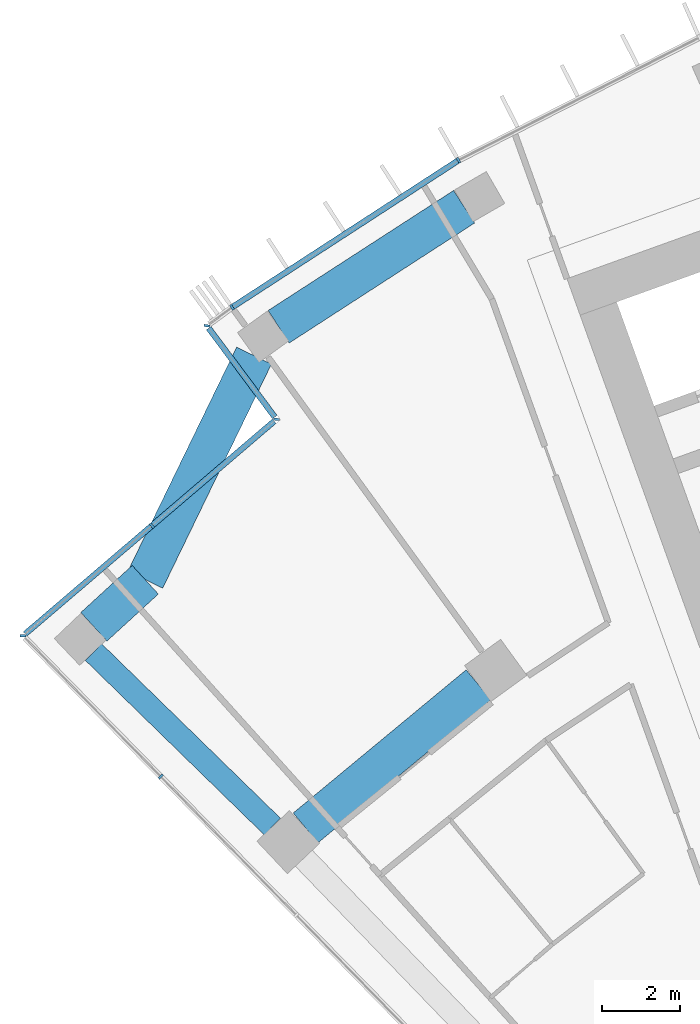
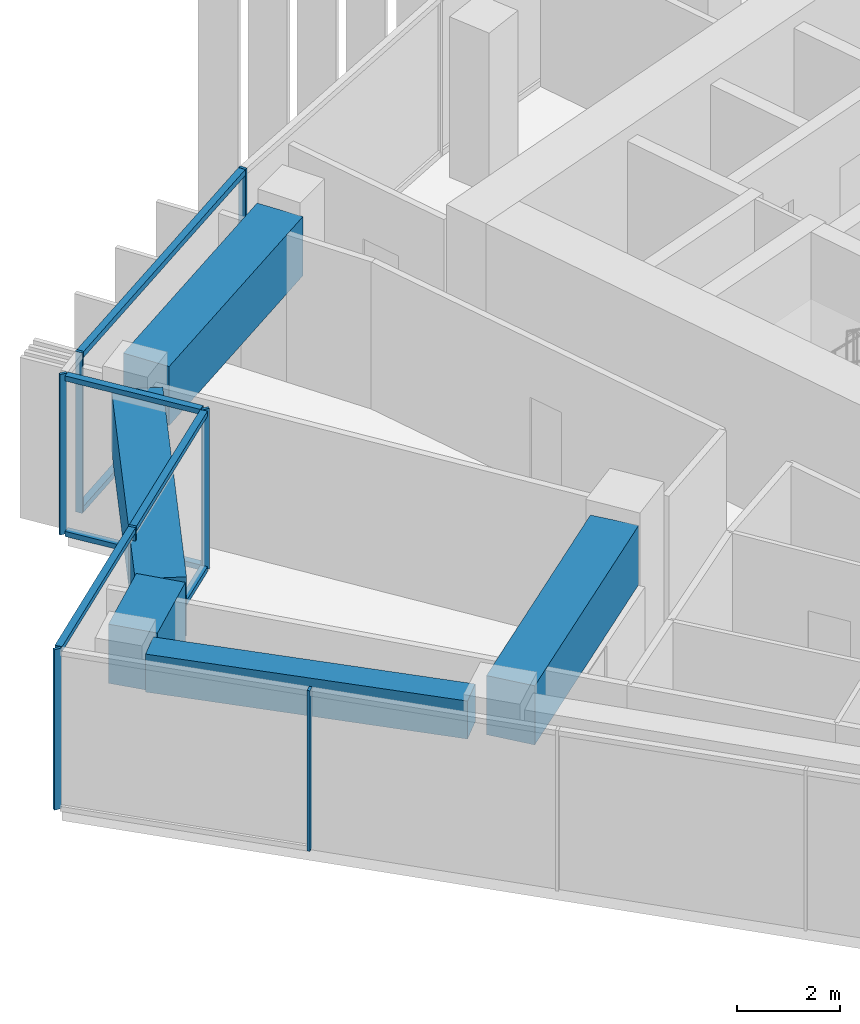
# One storey, part 4 of 19: 14 members, 5 beams, 4 elements without a shape of their own.
"""IFC4 building model written with IfcOpenShell, lengths in metres."""

from ifc_helpers import new_model, si_unit, direction, frame, origin, origin_2d, place, context, subcontext, project, spatial, rectangle, extrude, material, layer, layer_set, material_profile, profile_set, type_object, element, aggregate, save


model = new_model("IFC4")

# Units and contexts
model_context = context("Model", 3, precision=1e-05, world=origin(), true_north=direction((0.0, 1.0)))
body_context = subcontext(model_context, "Body", "Model", "MODEL_VIEW")
ifc_project = project(units=[si_unit("LENGTHUNIT", "METRE"), si_unit("AREAUNIT", "SQUARE_METRE"), si_unit("VOLUMEUNIT", "CUBIC_METRE"), si_unit("PLANEANGLEUNIT", "RADIAN"), si_unit("MASSUNIT", "GRAM", prefix="KILO")], contexts=[model_context])

# Site, building, storey
site_placement = place(None, origin())
site = spatial("IfcSite", under=ifc_project, at=site_placement, CompositionType="ELEMENT")
building_placement = place(site_placement, origin())
building = spatial("IfcBuilding", under=site, at=building_placement, Name="Stone Belt Terrace Tower", CompositionType="ELEMENT")
storey_placement = place(building_placement, frame((0.0, 0.0, 223.800048828125)))
storey = spatial("IfcBuildingStorey", under=building, at=storey_placement, Name="L54", CompositionType="ELEMENT", Elevation=223.800048828125)

# Curtain wall, members
ifc_material_1 = material(Name="Aluminium 6063-T6 anodised frame", Category="aluminium")
ifc_layer_1 = layer(ifc_material_1, 0.14990234375)
ifc_layer_set_1 = layer_set([ifc_layer_1], Name="CW-A unitised convex-face curtain wall")
curtain_wall_type_1 = type_object("IfcCurtainWallType", Name="CW-A unitised convex-face curtain wall", PredefinedType="NOTDEFINED", material=ifc_layer_set_1)
curtain_wall_1_placement = place(storey_placement, origin())
curtain_wall_1 = element("IfcCurtainWall", 1, at=curtain_wall_1_placement, inside=storey, type_object=curtain_wall_type_1, Name="CW-A convex face L54", PredefinedType="NOTDEFINED")
ifc_material_profile_1 = material_profile(ifc_material_1, rectangle(XDim=0.14990234375, YDim=0.06005859375, at=origin_2d()), Name="Aluminium 6063-T6 60x150")
ifc_profile_set_1 = profile_set([ifc_material_profile_1], Name="Aluminium 6063-T6 anodised frame")
member_type_1 = type_object("IfcMemberType", Name="CW-A mullion 60 x 150", PredefinedType="MULLION", material=ifc_profile_set_1)
member_1_placement = place(storey_placement, frame((-33.28759765625, 57.65576171875, 0.0), z_axis=(0.0, 0.0, 1.0), x_axis=(0.5, -0.866025403784, 0.0)))
member_1 = element("IfcMember", 2, at=member_1_placement, type_object=member_type_1, Name="CW-A mullion 14", PredefinedType="MULLION", context=body_context, shape_type="SweptSolid", body=[
    extrude(rectangle(XDim=0.14990234375, YDim=0.06005859375, at=origin_2d()), origin(), (0.0, 0.0, 1.0), 3.800048828125),
])
member_2_placement = place(storey_placement, frame((-39.13037109375, 53.861328125, 0.0), z_axis=(0.0, 0.0, 1.0), x_axis=(0.568647526171, -0.82258129749, 0.0)))
member_2 = element("IfcMember", 3, at=member_2_placement, type_object=member_type_1, Name="CW-A mullion 15", PredefinedType="MULLION", context=body_context, shape_type="SweptSolid", body=[
    extrude(rectangle(XDim=0.14990234375, YDim=0.06005859375, at=origin_2d()), origin(), (0.0, 0.0, 1.0), 3.800048828125),
])
ifc_material_profile_2 = material_profile(ifc_material_1, rectangle(XDim=0.14990234375, YDim=0.139892578125, at=origin_2d()), Name="Aluminium 6063-T6 150x140")
ifc_profile_set_2 = profile_set([ifc_material_profile_2], Name="Aluminium 6063-T6 anodised frame")
member_type_2 = type_object("IfcMemberType", Name="CW-A transom 140 x 150", PredefinedType="USERDEFINED", material=ifc_profile_set_2)
member_3_placement = place(storey_placement, frame((-33.31591796875, 57.63720703125, 0.070068359375), z_axis=(-0.83868440714, -0.544617723931, 0.0), x_axis=(0.544617723931, -0.83868440714, 0.0)))
member_3 = element("IfcMember", 4, at=member_3_placement, type_object=member_type_2, Name="CW-A transom 14.1", ObjectType="TRANSOM", PredefinedType="USERDEFINED", context=body_context, shape_type="SweptSolid", body=[
    extrude(rectangle(XDim=0.14990234375, YDim=0.139892578125, at=origin_2d()), origin(), (0.0, 0.0, 1.0), 6.90087890625),
])
member_4_placement = place(storey_placement, frame((-33.31591796875, 57.63720703125, 3.72998046875), z_axis=(-0.83868440714, -0.544617723931, 0.0), x_axis=(0.544617723931, -0.83868440714, 0.0)))
member_4 = element("IfcMember", 5, at=member_4_placement, type_object=member_type_2, Name="CW-A transom 14.2", ObjectType="TRANSOM", PredefinedType="USERDEFINED", context=body_context, shape_type="SweptSolid", body=[
    extrude(rectangle(XDim=0.14990234375, YDim=0.139892578125, at=origin_2d()), origin(), (0.0, 0.0, 1.0), 6.90087890625),
])
aggregate(curtain_wall_1, [member_1, member_2, member_3, member_4])

# Curtain wall, member
ifc_layer_2 = layer(ifc_material_1, 0.14990234375)
ifc_layer_set_2 = layer_set([ifc_layer_2], Name="CW-C stick curtain wall, horn ends and notches")
curtain_wall_type_2 = type_object("IfcCurtainWallType", Name="CW-C stick curtain wall, horn ends and notches", PredefinedType="NOTDEFINED", material=ifc_layer_set_2)
curtain_wall_2_placement = place(storey_placement, origin())
curtain_wall_2 = element("IfcCurtainWall", 6, at=curtain_wall_2_placement, inside=storey, type_object=curtain_wall_type_2, Name="CW-C notch face L54", PredefinedType="NOTDEFINED")
ifc_material_profile_3 = material_profile(ifc_material_1, rectangle(XDim=0.14990234375, YDim=0.06005859375, at=origin_2d()), Name="Aluminium 6063-T6 60x150")
ifc_profile_set_3 = profile_set([ifc_material_profile_3], Name="Aluminium 6063-T6 anodised frame")
member_type_3 = type_object("IfcMemberType", Name="CW-C mullion 60 x 150", PredefinedType="MULLION", material=ifc_profile_set_3)
member_5_placement = place(storey_placement, frame((-39.7763671875, 53.38671875, 0.0), z_axis=(0.0, 0.0, 1.0), x_axis=(0.988932903449, -0.148363447234, 0.0)))
member_5 = element("IfcMember", 7, at=member_5_placement, type_object=member_type_3, Name="CW-C mullion 1", PredefinedType="MULLION", context=body_context, shape_type="SweptSolid", body=[
    extrude(rectangle(XDim=0.14990234375, YDim=0.06005859375, at=origin_2d()), origin(), (0.0, 0.0, 1.0), 3.800048828125),
])

# Curtain wall, members
curtain_wall_3_placement = place(storey_placement, origin())
curtain_wall_3 = element("IfcCurtainWall", 8, at=curtain_wall_3_placement, inside=storey, type_object=curtain_wall_type_2, Name="CW-C notch face L54", PredefinedType="NOTDEFINED")
member_6_placement = place(storey_placement, frame((-37.9833984375, 50.974609375, 0.0), z_axis=(0.0, 0.0, 1.0), x_axis=(0.993694649426, -0.112120219865, 0.0)))
member_6 = element("IfcMember", 9, at=member_6_placement, type_object=member_type_3, Name="CW-C mullion 1", PredefinedType="MULLION", context=body_context, shape_type="SweptSolid", body=[
    extrude(rectangle(XDim=0.14990234375, YDim=0.06005859375, at=origin_2d()), origin(), (0.0, 0.0, 1.0), 3.800048828125),
])
member_7_placement = place(storey_placement, frame((-41.195068359375, 48.2314453125, 0.0), z_axis=(0.0, 0.0, 1.0), x_axis=(0.649461685764, -0.760394317919, 0.0)))
member_7 = element("IfcMember", 10, at=member_7_placement, type_object=member_type_3, Name="CW-C mullion 2", PredefinedType="MULLION", context=body_context, shape_type="SweptSolid", body=[
    extrude(rectangle(XDim=0.14990234375, YDim=0.06005859375, at=origin_2d()), origin(), (0.0, 0.0, 1.0), 3.800048828125),
])

curtain_wall_4_placement = place(storey_placement, origin())
curtain_wall_4 = element("IfcCurtainWall", 11, at=curtain_wall_4_placement, inside=storey, type_object=curtain_wall_type_2, Name="CW-C end face L54", PredefinedType="NOTDEFINED")
member_8_placement = place(storey_placement, frame((-44.52099609375, 45.390869140625, 0.0), z_axis=(0.0, 0.0, 1.0), x_axis=(0.999001688967, -0.044672423729, 0.0)))
member_8 = element("IfcMember", 12, at=member_8_placement, type_object=member_type_3, Name="CW-C mullion 1", PredefinedType="MULLION", context=body_context, shape_type="SweptSolid", body=[
    extrude(rectangle(XDim=0.14990234375, YDim=0.06005859375, at=origin_2d()), origin(), (0.0, 0.0, 1.0), 3.800048828125),
])
member_9_placement = place(storey_placement, frame((-40.968017578125, 41.759765625, 0.0), z_axis=(0.0, 0.0, 1.0), x_axis=(0.714739013009, 0.699391266233, 0.0)))
member_9 = element("IfcMember", 13, at=member_9_placement, type_object=member_type_3, Name="CW-C mullion 2", PredefinedType="MULLION", context=body_context, shape_type="SweptSolid", body=[
    extrude(rectangle(XDim=0.14990234375, YDim=0.06005859375, at=origin_2d()), origin(), (0.0, 0.0, 1.0), 3.800048828125),
])
aggregate(curtain_wall_4, [member_8, member_9])

# Member
ifc_material_profile_4 = material_profile(ifc_material_1, rectangle(XDim=0.14990234375, YDim=0.1201171875, at=origin_2d()), Name="Aluminium 6063-T6 150x120")
ifc_profile_set_4 = profile_set([ifc_material_profile_4], Name="Aluminium 6063-T6 anodised frame")
member_type_4 = type_object("IfcMemberType", Name="CW-C transom 120 x 150", PredefinedType="USERDEFINED", material=ifc_profile_set_4)
member_10_placement = place(storey_placement, frame((-39.73193359375, 53.326904296875, 0.06005859375), z_axis=(0.596577214065, -0.802555685082, 0.0), x_axis=(0.802555685082, 0.596577214065, 0.0)))
member_10 = element("IfcMember", 14, at=member_10_placement, type_object=member_type_4, Name="CW-C transom 1.1", ObjectType="TRANSOM", PredefinedType="USERDEFINED", context=body_context, shape_type="SweptSolid", body=[
    extrude(rectangle(XDim=0.14990234375, YDim=0.1201171875, at=origin_2d()), origin(), (0.0, 0.0, 1.0), 2.857666015625),
])

member_11_placement = place(storey_placement, frame((-39.73193359375, 53.326904296875, 3.739990234375), z_axis=(0.596577214065, -0.802555685082, 0.0), x_axis=(0.802555685082, 0.596577214065, 0.0)))
member_11 = element("IfcMember", 15, at=member_11_placement, type_object=member_type_4, Name="CW-C transom 1.2", ObjectType="TRANSOM", PredefinedType="USERDEFINED", context=body_context, shape_type="SweptSolid", body=[
    extrude(rectangle(XDim=0.14990234375, YDim=0.1201171875, at=origin_2d()), origin(), (0.0, 0.0, 1.0), 2.857666015625),
])

aggregate(curtain_wall_2, [member_5, member_10, member_11])

member_12_placement = place(storey_placement, frame((-38.0390625, 50.92724609375, 0.06005859375), z_axis=(-0.760384650427, -0.649473004362, 0.0), x_axis=(0.649473004362, -0.760384650427, 0.0)))
member_12 = element("IfcMember", 16, at=member_12_placement, type_object=member_type_4, Name="CW-C transom 1.1", ObjectType="TRANSOM", PredefinedType="USERDEFINED", context=body_context, shape_type="SweptSolid", body=[
    extrude(rectangle(XDim=0.14990234375, YDim=0.1201171875, at=origin_2d()), origin(), (0.0, 0.0, 1.0), 4.12060546875),
])

member_13_placement = place(storey_placement, frame((-38.0390625, 50.92724609375, 3.739990234375), z_axis=(-0.760384650427, -0.649473004362, 0.0), x_axis=(0.649473004362, -0.760384650427, 0.0)))
member_13 = element("IfcMember", 17, at=member_13_placement, type_object=member_type_4, Name="CW-C transom 1.2", ObjectType="TRANSOM", PredefinedType="USERDEFINED", context=body_context, shape_type="SweptSolid", body=[
    extrude(rectangle(XDim=0.14990234375, YDim=0.1201171875, at=origin_2d()), origin(), (0.0, 0.0, 1.0), 4.12060546875),
])

member_14_placement = place(storey_placement, frame((-41.218017578125, 48.212158203125, 3.739990234375), z_axis=(-0.760377797205, -0.649481027835, 0.0), x_axis=(0.649481027835, -0.760377797205, 0.0)))
member_14 = element("IfcMember", 18, at=member_14_placement, type_object=member_type_4, Name="CW-C transom 2.1", ObjectType="TRANSOM", PredefinedType="USERDEFINED", context=body_context, shape_type="SweptSolid", body=[
    extrude(rectangle(XDim=0.14990234375, YDim=0.1201171875, at=origin_2d()), origin(), (0.0, 0.0, 1.0), 4.268798828125),
])

aggregate(curtain_wall_3, [member_6, member_7, member_12, member_13, member_14])

# Beams
ifc_material_2 = material(Name="Concrete B60", Category="concrete")
ifc_material_profile_5 = material_profile(ifc_material_2, rectangle(XDim=0.60009765625, YDim=0.89990234375, at=origin_2d()), Name="RC 600x900")
ifc_profile_set_5 = profile_set([ifc_material_profile_5], Name="Concrete B60")
beam_type_1 = type_object("IfcBeamType", Name="Edge beam RC 600x900 B60", PredefinedType="SPANDREL", material=ifc_profile_set_5)
beam_1_placement = place(storey_placement, frame((-38.08837890625, 40.470458984375, 3.030029296875), z_axis=(-0.715878935001, 0.698224426973, 0.0), x_axis=(-0.698224426973, -0.715878935001, 0.0)))
element("IfcBeam", 19, at=beam_1_placement, inside=storey, type_object=beam_type_1, Name="Edge beam L54 A Q to R", PredefinedType="SPANDREL", context=body_context, shape_type="SweptSolid", body=[
    extrude(rectangle(XDim=0.60009765625, YDim=0.89990234375, at=origin_2d()), origin(), (0.0, 0.0, 1.0), 6.4443359375),
])
ifc_material_3 = material(Name="Concrete B80", Category="concrete")
ifc_material_profile_6 = material_profile(ifc_material_3, rectangle(XDim=1.0, YDim=1.39990234375, at=origin_2d()), Name="RC 1000x1400")
ifc_profile_set_6 = profile_set([ifc_material_profile_6], Name="Concrete B80")
beam_type_2 = type_object("IfcBeamType", Name="Transfer beam RC 1000x1400 B80", PredefinedType="BEAM", material=ifc_profile_set_6)
beam_2_placement = place(storey_placement, frame((-37.232421875, 40.43603515625, 2.780029296875), z_axis=(0.77031147708, 0.637667804016, 0.0), x_axis=(-0.637667804016, 0.77031147708, 0.0)))
element("IfcBeam", 20, at=beam_2_placement, inside=storey, type_object=beam_type_2, Name="Transfer beam L54 QQA-Q16", PredefinedType="BEAM", context=body_context, shape_type="SweptSolid", body=[
    extrude(rectangle(XDim=1.0, YDim=1.39990234375, at=origin_2d()), origin(), (0.0, 0.0, 1.0), 5.79052734375),
])
beam_3_placement = place(storey_placement, frame((-42.691650390625, 45.622802734375, 2.780029296875), z_axis=(0.737402211826, 0.675453905158, 0.0), x_axis=(-0.675453905158, 0.737402211826, 0.0)))
element("IfcBeam", 21, at=beam_3_placement, inside=storey, type_object=beam_type_2, Name="Transfer beam L54 RRA-RA", PredefinedType="BEAM", context=body_context, shape_type="SweptSolid", body=[
    extrude(rectangle(XDim=1.0, YDim=1.39990234375, at=origin_2d()), origin(), (0.0, 0.0, 1.0), 1.797119140625),
])
beam_4_placement = place(storey_placement, frame((-41.366455078125, 46.836669921875, 2.780029296875), z_axis=(0.436558741223, 0.899675755737, 0.0), x_axis=(-0.899675755737, 0.436558741223, 0.0)))
element("IfcBeam", 22, at=beam_4_placement, inside=storey, type_object=beam_type_2, Name="Transfer beam L54 RRA-RNA", PredefinedType="BEAM", context=body_context, shape_type="SweptSolid", body=[
    extrude(rectangle(XDim=1.0, YDim=1.39990234375, at=origin_2d()), origin(), (0.0, 0.0, 1.0), 6.425537109375),
])
beam_5_placement = place(storey_placement, frame((-37.926513671875, 53.361328125, 2.780029296875), z_axis=(0.839528763091, 0.543315245455, 0.0), x_axis=(-0.543315245455, 0.839528763091, 0.0)))
element("IfcBeam", 23, at=beam_5_placement, inside=storey, type_object=beam_type_2, Name="Transfer beam L54 RRNA-R17", PredefinedType="BEAM", context=body_context, shape_type="SweptSolid", body=[
    extrude(rectangle(XDim=1.0, YDim=1.39990234375, at=origin_2d()), origin(), (0.0, 0.0, 1.0), 5.697021484375),
])

save(model, "model.ifc")
